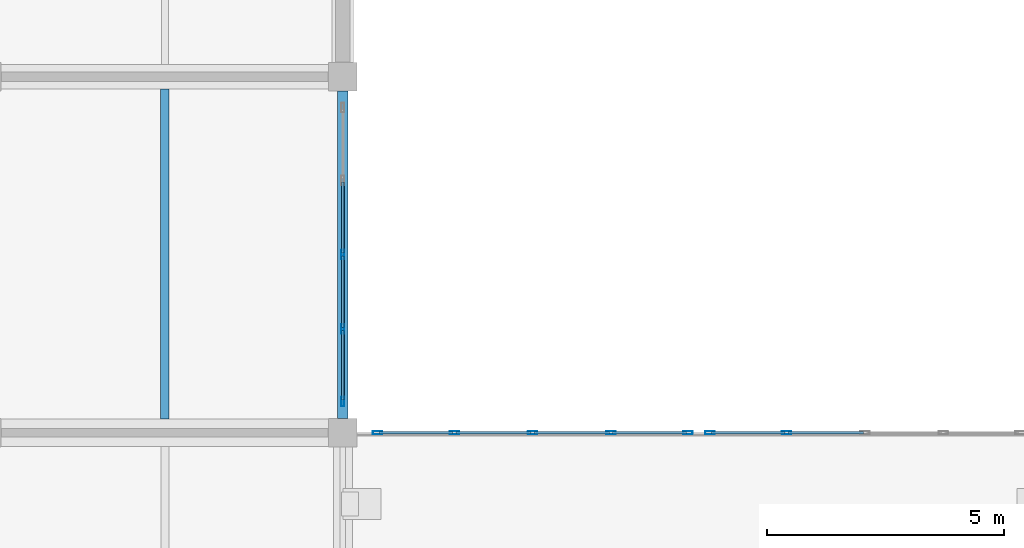
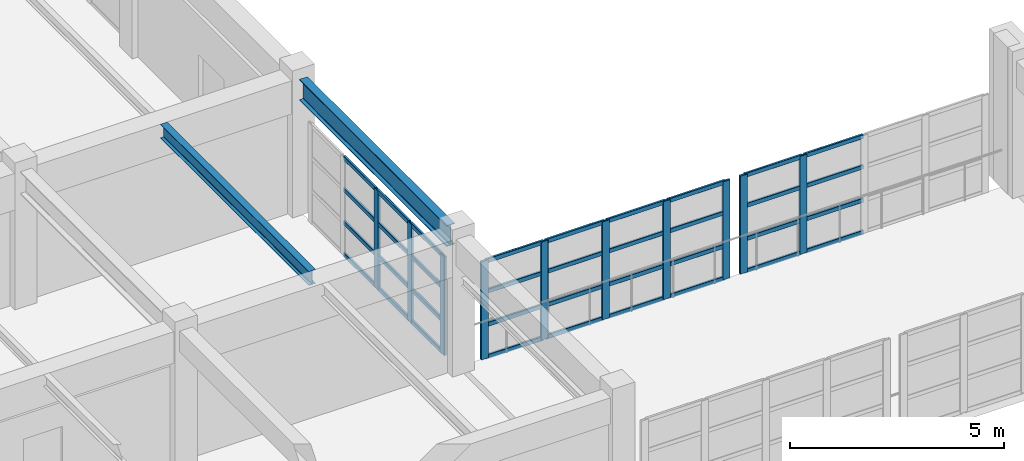
# One storey, part 47 of 124: 46 members, 2 beams, 3 elements without a shape of their own.
"""IFC4 building model written with IfcOpenShell, lengths in metres."""

from ifc_helpers import new_model, si_unit, direction, frame, origin, origin_2d, place, context, subcontext, project, spatial, hollow_rectangle, i_section, extrude, material, material_profile, profile_set, type_object, element, aggregate, save


model = new_model("IFC4")

# Units and contexts
model_context = context("Model", 3, precision=1e-05, world=origin(), true_north=direction((0.0, 1.0)))
body_context = subcontext(model_context, "Body", "Model", "MODEL_VIEW")
ifc_project = project(units=[si_unit("LENGTHUNIT", "METRE"), si_unit("AREAUNIT", "SQUARE_METRE"), si_unit("VOLUMEUNIT", "CUBIC_METRE"), si_unit("PLANEANGLEUNIT", "RADIAN"), si_unit("MASSUNIT", "GRAM", prefix="KILO")], contexts=[model_context])

# Site, building, storey
site_placement = place(None, origin())
site = spatial("IfcSite", under=ifc_project, at=site_placement, CompositionType="ELEMENT")
building_placement = place(site_placement, origin())
building = spatial("IfcBuilding", under=site, at=building_placement, Name="Qasida Concert Hall", CompositionType="ELEMENT")
storey_placement = place(building_placement, frame((0.0, 0.0, 9.0)))
storey = spatial("IfcBuildingStorey", under=building, at=storey_placement, Name="L02", CompositionType="ELEMENT", Elevation=9.0)

# Beams
ifc_material_1 = material(Name="Steel S355J2", Category="steel")
ifc_material_profile_1 = material_profile(ifc_material_1, i_section(OverallWidth=0.179931640625, OverallDepth=0.39990234375, WebThickness=0.008544921875, FlangeThickness=0.013427734375, FilletRadius=0.02099609375, at=origin_2d()), Name="IPE 400")
ifc_profile_set_1 = profile_set([ifc_material_profile_1], Name="Steel S355J2")
beam_type_1 = type_object("IfcBeamType", Name="BM-J3", PredefinedType="JOIST", material=ifc_profile_set_1)
beam_1_placement = place(storey_placement, frame((33.75, 82.7900390625, 3.699951171875), z_axis=(0.0, 1.0, 0.0), x_axis=(-1.0, 0.0, 0.0)))
element("IfcBeam", 1, at=beam_1_placement, inside=storey, type_object=beam_type_1, Name="L02 secondary joist 1506", PredefinedType="JOIST", context=body_context, shape_type="SweptSolid", body=[
    extrude(i_section(OverallWidth=0.179931640625, OverallDepth=0.39990234375, WebThickness=0.008544921875, FlangeThickness=0.013427734375, FilletRadius=0.02099609375, at=origin_2d()), origin(), (0.0, 0.0, 1.0), 6.949951171875),
])
ifc_material_profile_2 = material_profile(ifc_material_1, i_section(OverallWidth=0.219970703125, OverallDepth=0.60009765625, WebThickness=0.011962890625, FlangeThickness=0.01904296875, FilletRadius=0.02392578125, at=origin_2d()), Name="IPE 600")
ifc_profile_set_2 = profile_set([ifc_material_profile_2], Name="Steel S355J2")
beam_type_2 = type_object("IfcBeamType", Name="BM-SP3", PredefinedType="SPANDREL", material=ifc_profile_set_2)
beam_2_placement = place(storey_placement, frame((37.5, 82.800048828125, 3.60009765625), z_axis=(0.0, 1.0, 0.0), x_axis=(-1.0, 0.0, 0.0)))
element("IfcBeam", 2, at=beam_2_placement, inside=storey, type_object=beam_type_2, Name="L02 girder 1483", PredefinedType="SPANDREL", context=body_context, shape_type="SweptSolid", body=[
    extrude(i_section(OverallWidth=0.219970703125, OverallDepth=0.60009765625, WebThickness=0.011962890625, FlangeThickness=0.01904296875, FilletRadius=0.02392578125, at=origin_2d()), origin(), (0.0, 0.0, 1.0), 6.89990234375),
])

# Curtain wall, members
ifc_material_2 = material(Name="Architectural bronze-anodized aluminium and low-E glass", Category="aluminium")
curtain_wall_type = type_object("IfcCurtainWallType", Name="CW-08", PredefinedType="NOTDEFINED", material=ifc_material_2)
curtain_wall_1_placement = place(storey_placement, origin())
curtain_wall_1 = element("IfcCurtainWall", 3, at=curtain_wall_1_placement, inside=storey, type_object=curtain_wall_type, Name="L02 curtain wall CW-08 0190", PredefinedType="NOTDEFINED")
ifc_material_3 = material(Name="Architectural bronze-anodized aluminium EN AW-6063", Category="aluminium")
ifc_material_profile_3 = material_profile(ifc_material_3, hollow_rectangle(XDim=0.06494140625, YDim=0.199951171875, WallThickness=0.0048828125, InnerFilletRadius=0.0048828125, OuterFilletRadius=0.010009765625, at=origin_2d()), Name="CWM 200x65x5")
ifc_profile_set_3 = profile_set([ifc_material_profile_3], Name="Architectural bronze-anodized aluminium EN AW-6063")
member_type_1 = type_object("IfcMemberType", Name="MB-CWM-2", PredefinedType="MULLION", material=ifc_profile_set_3)
member_1_placement = place(storey_placement, frame((37.5, 83.152587890625, 0.0), z_axis=(0.0, 0.0, 1.0), x_axis=(-1.0, 0.0, 0.0)))
member_1 = element("IfcMember", 4, at=member_1_placement, type_object=member_type_1, Name="CW-08 mullion 1", PredefinedType="MULLION", context=body_context, shape_type="SweptSolid", body=[
    extrude(hollow_rectangle(XDim=0.06494140625, YDim=0.199951171875, WallThickness=0.0048828125, InnerFilletRadius=0.0048828125, OuterFilletRadius=0.010009765625, at=origin_2d()), origin(), (0.0, 0.0, 1.0), 2.820068359375),
])
member_2_placement = place(storey_placement, frame((37.5, 84.68505859375, 0.0), z_axis=(0.0, 0.0, 1.0), x_axis=(-1.0, 0.0, 0.0)))
member_2 = element("IfcMember", 5, at=member_2_placement, type_object=member_type_1, Name="CW-08 mullion 2", PredefinedType="MULLION", context=body_context, shape_type="SweptSolid", body=[
    extrude(hollow_rectangle(XDim=0.06494140625, YDim=0.199951171875, WallThickness=0.0048828125, InnerFilletRadius=0.0048828125, OuterFilletRadius=0.010009765625, at=origin_2d()), origin(), (0.0, 0.0, 1.0), 2.820068359375),
])
member_3_placement = place(storey_placement, frame((37.5, 86.25, 0.0), z_axis=(0.0, 0.0, 1.0), x_axis=(-1.0, 0.0, 0.0)))
member_3 = element("IfcMember", 6, at=member_3_placement, type_object=member_type_1, Name="CW-08 mullion 3", PredefinedType="MULLION", context=body_context, shape_type="SweptSolid", body=[
    extrude(hollow_rectangle(XDim=0.06494140625, YDim=0.199951171875, WallThickness=0.0048828125, InnerFilletRadius=0.0048828125, OuterFilletRadius=0.010009765625, at=origin_2d()), origin(), (0.0, 0.0, 1.0), 2.820068359375),
])

curtain_wall_2_placement = place(storey_placement, origin())
curtain_wall_2 = element("IfcCurtainWall", 7, at=curtain_wall_2_placement, inside=storey, type_object=curtain_wall_type, Name="L02 link bridge glazing 0219", PredefinedType="NOTDEFINED")
member_4_placement = place(storey_placement, frame((38.232421875, 82.5, 0.0), z_axis=(0.0, 0.0, 1.0), x_axis=(0.0, 1.0, 0.0)))
member_4 = element("IfcMember", 8, at=member_4_placement, type_object=member_type_1, Name="CW-08 mullion 1", PredefinedType="MULLION", context=body_context, shape_type="SweptSolid", body=[
    extrude(hollow_rectangle(XDim=0.06494140625, YDim=0.199951171875, WallThickness=0.0048828125, InnerFilletRadius=0.0048828125, OuterFilletRadius=0.010009765625, at=origin_2d()), origin(), (0.0, 0.0, 1.0), 2.800048828125),
])
member_5_placement = place(storey_placement, frame((39.85009765625, 82.5, 0.0), z_axis=(0.0, 0.0, 1.0), x_axis=(0.0, 1.0, 0.0)))
member_5 = element("IfcMember", 9, at=member_5_placement, type_object=member_type_1, Name="CW-08 mullion 2", PredefinedType="MULLION", context=body_context, shape_type="SweptSolid", body=[
    extrude(hollow_rectangle(XDim=0.06494140625, YDim=0.199951171875, WallThickness=0.0048828125, InnerFilletRadius=0.0048828125, OuterFilletRadius=0.010009765625, at=origin_2d()), origin(), (0.0, 0.0, 1.0), 2.800048828125),
])
member_6_placement = place(storey_placement, frame((41.5, 82.5, 0.0), z_axis=(0.0, 0.0, 1.0), x_axis=(0.0, 1.0, 0.0)))
member_6 = element("IfcMember", 10, at=member_6_placement, type_object=member_type_1, Name="CW-08 mullion 3", PredefinedType="MULLION", context=body_context, shape_type="SweptSolid", body=[
    extrude(hollow_rectangle(XDim=0.06494140625, YDim=0.199951171875, WallThickness=0.0048828125, InnerFilletRadius=0.0048828125, OuterFilletRadius=0.010009765625, at=origin_2d()), origin(), (0.0, 0.0, 1.0), 2.800048828125),
])
member_7_placement = place(storey_placement, frame((43.14990234375, 82.5, 0.0), z_axis=(0.0, 0.0, 1.0), x_axis=(0.0, 1.0, 0.0)))
member_7 = element("IfcMember", 11, at=member_7_placement, type_object=member_type_1, Name="CW-08 mullion 4", PredefinedType="MULLION", context=body_context, shape_type="SweptSolid", body=[
    extrude(hollow_rectangle(XDim=0.06494140625, YDim=0.199951171875, WallThickness=0.0048828125, InnerFilletRadius=0.0048828125, OuterFilletRadius=0.010009765625, at=origin_2d()), origin(), (0.0, 0.0, 1.0), 2.800048828125),
])
member_8_placement = place(storey_placement, frame((44.767578125, 82.5, 0.0), z_axis=(0.0, 0.0, 1.0), x_axis=(0.0, 1.0, 0.0)))
member_8 = element("IfcMember", 12, at=member_8_placement, type_object=member_type_1, Name="CW-08 mullion 5", PredefinedType="MULLION", context=body_context, shape_type="SweptSolid", body=[
    extrude(hollow_rectangle(XDim=0.06494140625, YDim=0.199951171875, WallThickness=0.0048828125, InnerFilletRadius=0.0048828125, OuterFilletRadius=0.010009765625, at=origin_2d()), origin(), (0.0, 0.0, 1.0), 2.800048828125),
])

curtain_wall_3_placement = place(storey_placement, origin())
curtain_wall_3 = element("IfcCurtainWall", 13, at=curtain_wall_3_placement, inside=storey, type_object=curtain_wall_type, Name="L02 link bridge glazing 0221", PredefinedType="NOTDEFINED")
member_9_placement = place(storey_placement, frame((45.232421875, 82.5, 0.0), z_axis=(0.0, 0.0, 1.0), x_axis=(0.0, 1.0, 0.0)))
member_9 = element("IfcMember", 14, at=member_9_placement, type_object=member_type_1, Name="CW-08 mullion 1", PredefinedType="MULLION", context=body_context, shape_type="SweptSolid", body=[
    extrude(hollow_rectangle(XDim=0.06494140625, YDim=0.199951171875, WallThickness=0.0048828125, InnerFilletRadius=0.0048828125, OuterFilletRadius=0.010009765625, at=origin_2d()), origin(), (0.0, 0.0, 1.0), 2.800048828125),
])
member_10_placement = place(storey_placement, frame((46.85009765625, 82.5, 0.0), z_axis=(0.0, 0.0, 1.0), x_axis=(0.0, 1.0, 0.0)))
member_10 = element("IfcMember", 15, at=member_10_placement, type_object=member_type_1, Name="CW-08 mullion 2", PredefinedType="MULLION", context=body_context, shape_type="SweptSolid", body=[
    extrude(hollow_rectangle(XDim=0.06494140625, YDim=0.199951171875, WallThickness=0.0048828125, InnerFilletRadius=0.0048828125, OuterFilletRadius=0.010009765625, at=origin_2d()), origin(), (0.0, 0.0, 1.0), 2.800048828125),
])

# Member
ifc_material_profile_4 = material_profile(ifc_material_3, hollow_rectangle(XDim=0.06005859375, YDim=0.1201171875, WallThickness=0.00390625, InnerFilletRadius=0.00390625, OuterFilletRadius=0.008056640625, at=origin_2d()), Name="CWT 120x60x4")
ifc_profile_set_4 = profile_set([ifc_material_profile_4], Name="Architectural bronze-anodized aluminium EN AW-6063")
member_type_2 = type_object("IfcMemberType", Name="MB-CWT-2", PredefinedType="USERDEFINED", material=ifc_profile_set_4)
member_11_placement = place(storey_placement, frame((37.5, 83.18505859375, 0.030029296875), z_axis=(0.0, 1.0, 0.0), x_axis=(-1.0, 0.0, 0.0)))
member_11 = element("IfcMember", 16, at=member_11_placement, type_object=member_type_2, Name="CW-08 transom 1.1", ObjectType="TRANSOM", PredefinedType="USERDEFINED", context=body_context, shape_type="SweptSolid", body=[
    extrude(hollow_rectangle(XDim=0.06005859375, YDim=0.1201171875, WallThickness=0.00390625, InnerFilletRadius=0.00390625, OuterFilletRadius=0.008056640625, at=origin_2d()), origin(), (0.0, 0.0, 1.0), 1.467529296875),
])

member_12_placement = place(storey_placement, frame((37.5, 83.18505859375, 0.93994140625), z_axis=(0.0, 1.0, 0.0), x_axis=(-1.0, 0.0, 0.0)))
member_12 = element("IfcMember", 17, at=member_12_placement, type_object=member_type_2, Name="CW-08 transom 1.2", ObjectType="TRANSOM", PredefinedType="USERDEFINED", context=body_context, shape_type="SweptSolid", body=[
    extrude(hollow_rectangle(XDim=0.06005859375, YDim=0.1201171875, WallThickness=0.00390625, InnerFilletRadius=0.00390625, OuterFilletRadius=0.008056640625, at=origin_2d()), origin(), (0.0, 0.0, 1.0), 1.467529296875),
])

member_13_placement = place(storey_placement, frame((37.5, 83.18505859375, 1.8798828125), z_axis=(0.0, 1.0, 0.0), x_axis=(-1.0, 0.0, 0.0)))
member_13 = element("IfcMember", 18, at=member_13_placement, type_object=member_type_2, Name="CW-08 transom 1.3", ObjectType="TRANSOM", PredefinedType="USERDEFINED", context=body_context, shape_type="SweptSolid", body=[
    extrude(hollow_rectangle(XDim=0.06005859375, YDim=0.1201171875, WallThickness=0.00390625, InnerFilletRadius=0.00390625, OuterFilletRadius=0.008056640625, at=origin_2d()), origin(), (0.0, 0.0, 1.0), 1.467529296875),
])

member_14_placement = place(storey_placement, frame((37.5, 83.18505859375, 2.7900390625), z_axis=(0.0, 1.0, 0.0), x_axis=(-1.0, 0.0, 0.0)))
member_14 = element("IfcMember", 19, at=member_14_placement, type_object=member_type_2, Name="CW-08 transom 1.4", ObjectType="TRANSOM", PredefinedType="USERDEFINED", context=body_context, shape_type="SweptSolid", body=[
    extrude(hollow_rectangle(XDim=0.06005859375, YDim=0.1201171875, WallThickness=0.00390625, InnerFilletRadius=0.00390625, OuterFilletRadius=0.008056640625, at=origin_2d()), origin(), (0.0, 0.0, 1.0), 1.467529296875),
])

member_15_placement = place(storey_placement, frame((37.5, 84.717529296875, 0.030029296875), z_axis=(0.0, 1.0, 0.0), x_axis=(-1.0, 0.0, 0.0)))
member_15 = element("IfcMember", 20, at=member_15_placement, type_object=member_type_2, Name="CW-08 transom 2.1", ObjectType="TRANSOM", PredefinedType="USERDEFINED", context=body_context, shape_type="SweptSolid", body=[
    extrude(hollow_rectangle(XDim=0.06005859375, YDim=0.1201171875, WallThickness=0.00390625, InnerFilletRadius=0.00390625, OuterFilletRadius=0.008056640625, at=origin_2d()), origin(), (0.0, 0.0, 1.0), 1.5),
])

member_16_placement = place(storey_placement, frame((37.5, 84.717529296875, 0.93994140625), z_axis=(0.0, 1.0, 0.0), x_axis=(-1.0, 0.0, 0.0)))
member_16 = element("IfcMember", 21, at=member_16_placement, type_object=member_type_2, Name="CW-08 transom 2.2", ObjectType="TRANSOM", PredefinedType="USERDEFINED", context=body_context, shape_type="SweptSolid", body=[
    extrude(hollow_rectangle(XDim=0.06005859375, YDim=0.1201171875, WallThickness=0.00390625, InnerFilletRadius=0.00390625, OuterFilletRadius=0.008056640625, at=origin_2d()), origin(), (0.0, 0.0, 1.0), 1.5),
])

member_17_placement = place(storey_placement, frame((37.5, 84.717529296875, 1.8798828125), z_axis=(0.0, 1.0, 0.0), x_axis=(-1.0, 0.0, 0.0)))
member_17 = element("IfcMember", 22, at=member_17_placement, type_object=member_type_2, Name="CW-08 transom 2.3", ObjectType="TRANSOM", PredefinedType="USERDEFINED", context=body_context, shape_type="SweptSolid", body=[
    extrude(hollow_rectangle(XDim=0.06005859375, YDim=0.1201171875, WallThickness=0.00390625, InnerFilletRadius=0.00390625, OuterFilletRadius=0.008056640625, at=origin_2d()), origin(), (0.0, 0.0, 1.0), 1.5),
])

member_18_placement = place(storey_placement, frame((37.5, 84.717529296875, 2.7900390625), z_axis=(0.0, 1.0, 0.0), x_axis=(-1.0, 0.0, 0.0)))
member_18 = element("IfcMember", 23, at=member_18_placement, type_object=member_type_2, Name="CW-08 transom 2.4", ObjectType="TRANSOM", PredefinedType="USERDEFINED", context=body_context, shape_type="SweptSolid", body=[
    extrude(hollow_rectangle(XDim=0.06005859375, YDim=0.1201171875, WallThickness=0.00390625, InnerFilletRadius=0.00390625, OuterFilletRadius=0.008056640625, at=origin_2d()), origin(), (0.0, 0.0, 1.0), 1.5),
])

member_19_placement = place(storey_placement, frame((37.5, 86.282470703125, 0.030029296875), z_axis=(0.0, 1.0, 0.0), x_axis=(-1.0, 0.0, 0.0)))
member_19 = element("IfcMember", 24, at=member_19_placement, type_object=member_type_2, Name="CW-08 transom 3.1", ObjectType="TRANSOM", PredefinedType="USERDEFINED", context=body_context, shape_type="SweptSolid", body=[
    extrude(hollow_rectangle(XDim=0.06005859375, YDim=0.1201171875, WallThickness=0.00390625, InnerFilletRadius=0.00390625, OuterFilletRadius=0.008056640625, at=origin_2d()), origin(), (0.0, 0.0, 1.0), 1.5),
])

member_20_placement = place(storey_placement, frame((37.5, 86.282470703125, 0.93994140625), z_axis=(0.0, 1.0, 0.0), x_axis=(-1.0, 0.0, 0.0)))
member_20 = element("IfcMember", 25, at=member_20_placement, type_object=member_type_2, Name="CW-08 transom 3.2", ObjectType="TRANSOM", PredefinedType="USERDEFINED", context=body_context, shape_type="SweptSolid", body=[
    extrude(hollow_rectangle(XDim=0.06005859375, YDim=0.1201171875, WallThickness=0.00390625, InnerFilletRadius=0.00390625, OuterFilletRadius=0.008056640625, at=origin_2d()), origin(), (0.0, 0.0, 1.0), 1.5),
])

member_21_placement = place(storey_placement, frame((37.5, 86.282470703125, 1.8798828125), z_axis=(0.0, 1.0, 0.0), x_axis=(-1.0, 0.0, 0.0)))
member_21 = element("IfcMember", 26, at=member_21_placement, type_object=member_type_2, Name="CW-08 transom 3.3", ObjectType="TRANSOM", PredefinedType="USERDEFINED", context=body_context, shape_type="SweptSolid", body=[
    extrude(hollow_rectangle(XDim=0.06005859375, YDim=0.1201171875, WallThickness=0.00390625, InnerFilletRadius=0.00390625, OuterFilletRadius=0.008056640625, at=origin_2d()), origin(), (0.0, 0.0, 1.0), 1.5),
])

member_22_placement = place(storey_placement, frame((37.5, 86.282470703125, 2.7900390625), z_axis=(0.0, 1.0, 0.0), x_axis=(-1.0, 0.0, 0.0)))
member_22 = element("IfcMember", 27, at=member_22_placement, type_object=member_type_2, Name="CW-08 transom 3.4", ObjectType="TRANSOM", PredefinedType="USERDEFINED", context=body_context, shape_type="SweptSolid", body=[
    extrude(hollow_rectangle(XDim=0.06005859375, YDim=0.1201171875, WallThickness=0.00390625, InnerFilletRadius=0.00390625, OuterFilletRadius=0.008056640625, at=origin_2d()), origin(), (0.0, 0.0, 1.0), 1.5),
])

aggregate(curtain_wall_1, [member_1, member_2, member_3, member_11, member_12, member_13, member_14, member_15, member_16, member_17, member_18, member_19, member_20, member_21, member_22])

member_23_placement = place(storey_placement, frame((38.264892578125, 82.5, 0.030029296875), z_axis=(1.0, 0.0, 0.0), x_axis=(0.0, 1.0, 0.0)))
member_23 = element("IfcMember", 28, at=member_23_placement, type_object=member_type_2, Name="CW-08 transom 1.1", ObjectType="TRANSOM", PredefinedType="USERDEFINED", context=body_context, shape_type="SweptSolid", body=[
    extrude(hollow_rectangle(XDim=0.06005859375, YDim=0.1201171875, WallThickness=0.00390625, InnerFilletRadius=0.00390625, OuterFilletRadius=0.008056640625, at=origin_2d()), origin(), (0.0, 0.0, 1.0), 1.552490234375),
])

member_24_placement = place(storey_placement, frame((38.264892578125, 82.5, 0.949951171875), z_axis=(1.0, 0.0, 0.0), x_axis=(0.0, 1.0, 0.0)))
member_24 = element("IfcMember", 29, at=member_24_placement, type_object=member_type_2, Name="CW-08 transom 1.2", ObjectType="TRANSOM", PredefinedType="USERDEFINED", context=body_context, shape_type="SweptSolid", body=[
    extrude(hollow_rectangle(XDim=0.06005859375, YDim=0.1201171875, WallThickness=0.00390625, InnerFilletRadius=0.00390625, OuterFilletRadius=0.008056640625, at=origin_2d()), origin(), (0.0, 0.0, 1.0), 1.552490234375),
])

member_25_placement = place(storey_placement, frame((38.264892578125, 82.5, 1.89990234375), z_axis=(1.0, 0.0, 0.0), x_axis=(0.0, 1.0, 0.0)))
member_25 = element("IfcMember", 30, at=member_25_placement, type_object=member_type_2, Name="CW-08 transom 1.3", ObjectType="TRANSOM", PredefinedType="USERDEFINED", context=body_context, shape_type="SweptSolid", body=[
    extrude(hollow_rectangle(XDim=0.06005859375, YDim=0.1201171875, WallThickness=0.00390625, InnerFilletRadius=0.00390625, OuterFilletRadius=0.008056640625, at=origin_2d()), origin(), (0.0, 0.0, 1.0), 1.552490234375),
])

member_26_placement = place(storey_placement, frame((38.264892578125, 82.5, 2.77001953125), z_axis=(1.0, 0.0, 0.0), x_axis=(0.0, 1.0, 0.0)))
member_26 = element("IfcMember", 31, at=member_26_placement, type_object=member_type_2, Name="CW-08 transom 1.4", ObjectType="TRANSOM", PredefinedType="USERDEFINED", context=body_context, shape_type="SweptSolid", body=[
    extrude(hollow_rectangle(XDim=0.06005859375, YDim=0.1201171875, WallThickness=0.00390625, InnerFilletRadius=0.00390625, OuterFilletRadius=0.008056640625, at=origin_2d()), origin(), (0.0, 0.0, 1.0), 1.552490234375),
])

member_27_placement = place(storey_placement, frame((39.882568359375, 82.5, 0.030029296875), z_axis=(1.0, 0.0, 0.0), x_axis=(0.0, 1.0, 0.0)))
member_27 = element("IfcMember", 32, at=member_27_placement, type_object=member_type_2, Name="CW-08 transom 2.1", ObjectType="TRANSOM", PredefinedType="USERDEFINED", context=body_context, shape_type="SweptSolid", body=[
    extrude(hollow_rectangle(XDim=0.06005859375, YDim=0.1201171875, WallThickness=0.00390625, InnerFilletRadius=0.00390625, OuterFilletRadius=0.008056640625, at=origin_2d()), origin(), (0.0, 0.0, 1.0), 1.5849609375),
])

member_28_placement = place(storey_placement, frame((39.882568359375, 82.5, 0.949951171875), z_axis=(1.0, 0.0, 0.0), x_axis=(0.0, 1.0, 0.0)))
member_28 = element("IfcMember", 33, at=member_28_placement, type_object=member_type_2, Name="CW-08 transom 2.2", ObjectType="TRANSOM", PredefinedType="USERDEFINED", context=body_context, shape_type="SweptSolid", body=[
    extrude(hollow_rectangle(XDim=0.06005859375, YDim=0.1201171875, WallThickness=0.00390625, InnerFilletRadius=0.00390625, OuterFilletRadius=0.008056640625, at=origin_2d()), origin(), (0.0, 0.0, 1.0), 1.5849609375),
])

member_29_placement = place(storey_placement, frame((39.882568359375, 82.5, 1.89990234375), z_axis=(1.0, 0.0, 0.0), x_axis=(0.0, 1.0, 0.0)))
member_29 = element("IfcMember", 34, at=member_29_placement, type_object=member_type_2, Name="CW-08 transom 2.3", ObjectType="TRANSOM", PredefinedType="USERDEFINED", context=body_context, shape_type="SweptSolid", body=[
    extrude(hollow_rectangle(XDim=0.06005859375, YDim=0.1201171875, WallThickness=0.00390625, InnerFilletRadius=0.00390625, OuterFilletRadius=0.008056640625, at=origin_2d()), origin(), (0.0, 0.0, 1.0), 1.5849609375),
])

member_30_placement = place(storey_placement, frame((39.882568359375, 82.5, 2.77001953125), z_axis=(1.0, 0.0, 0.0), x_axis=(0.0, 1.0, 0.0)))
member_30 = element("IfcMember", 35, at=member_30_placement, type_object=member_type_2, Name="CW-08 transom 2.4", ObjectType="TRANSOM", PredefinedType="USERDEFINED", context=body_context, shape_type="SweptSolid", body=[
    extrude(hollow_rectangle(XDim=0.06005859375, YDim=0.1201171875, WallThickness=0.00390625, InnerFilletRadius=0.00390625, OuterFilletRadius=0.008056640625, at=origin_2d()), origin(), (0.0, 0.0, 1.0), 1.5849609375),
])

member_31_placement = place(storey_placement, frame((41.532470703125, 82.5, 0.030029296875), z_axis=(1.0, 0.0, 0.0), x_axis=(0.0, 1.0, 0.0)))
member_31 = element("IfcMember", 36, at=member_31_placement, type_object=member_type_2, Name="CW-08 transom 3.1", ObjectType="TRANSOM", PredefinedType="USERDEFINED", context=body_context, shape_type="SweptSolid", body=[
    extrude(hollow_rectangle(XDim=0.06005859375, YDim=0.1201171875, WallThickness=0.00390625, InnerFilletRadius=0.00390625, OuterFilletRadius=0.008056640625, at=origin_2d()), origin(), (0.0, 0.0, 1.0), 1.5849609375),
])

member_32_placement = place(storey_placement, frame((41.532470703125, 82.5, 0.949951171875), z_axis=(1.0, 0.0, 0.0), x_axis=(0.0, 1.0, 0.0)))
member_32 = element("IfcMember", 37, at=member_32_placement, type_object=member_type_2, Name="CW-08 transom 3.2", ObjectType="TRANSOM", PredefinedType="USERDEFINED", context=body_context, shape_type="SweptSolid", body=[
    extrude(hollow_rectangle(XDim=0.06005859375, YDim=0.1201171875, WallThickness=0.00390625, InnerFilletRadius=0.00390625, OuterFilletRadius=0.008056640625, at=origin_2d()), origin(), (0.0, 0.0, 1.0), 1.5849609375),
])

member_33_placement = place(storey_placement, frame((41.532470703125, 82.5, 1.89990234375), z_axis=(1.0, 0.0, 0.0), x_axis=(0.0, 1.0, 0.0)))
member_33 = element("IfcMember", 38, at=member_33_placement, type_object=member_type_2, Name="CW-08 transom 3.3", ObjectType="TRANSOM", PredefinedType="USERDEFINED", context=body_context, shape_type="SweptSolid", body=[
    extrude(hollow_rectangle(XDim=0.06005859375, YDim=0.1201171875, WallThickness=0.00390625, InnerFilletRadius=0.00390625, OuterFilletRadius=0.008056640625, at=origin_2d()), origin(), (0.0, 0.0, 1.0), 1.5849609375),
])

member_34_placement = place(storey_placement, frame((41.532470703125, 82.5, 2.77001953125), z_axis=(1.0, 0.0, 0.0), x_axis=(0.0, 1.0, 0.0)))
member_34 = element("IfcMember", 39, at=member_34_placement, type_object=member_type_2, Name="CW-08 transom 3.4", ObjectType="TRANSOM", PredefinedType="USERDEFINED", context=body_context, shape_type="SweptSolid", body=[
    extrude(hollow_rectangle(XDim=0.06005859375, YDim=0.1201171875, WallThickness=0.00390625, InnerFilletRadius=0.00390625, OuterFilletRadius=0.008056640625, at=origin_2d()), origin(), (0.0, 0.0, 1.0), 1.5849609375),
])

member_35_placement = place(storey_placement, frame((43.1826171875, 82.5, 0.030029296875), z_axis=(1.0, 0.0, 0.0), x_axis=(0.0, 1.0, 0.0)))
member_35 = element("IfcMember", 40, at=member_35_placement, type_object=member_type_2, Name="CW-08 transom 4.1", ObjectType="TRANSOM", PredefinedType="USERDEFINED", context=body_context, shape_type="SweptSolid", body=[
    extrude(hollow_rectangle(XDim=0.06005859375, YDim=0.1201171875, WallThickness=0.00390625, InnerFilletRadius=0.00390625, OuterFilletRadius=0.008056640625, at=origin_2d()), origin(), (0.0, 0.0, 1.0), 1.552490234375),
])

member_36_placement = place(storey_placement, frame((43.1826171875, 82.5, 0.949951171875), z_axis=(1.0, 0.0, 0.0), x_axis=(0.0, 1.0, 0.0)))
member_36 = element("IfcMember", 41, at=member_36_placement, type_object=member_type_2, Name="CW-08 transom 4.2", ObjectType="TRANSOM", PredefinedType="USERDEFINED", context=body_context, shape_type="SweptSolid", body=[
    extrude(hollow_rectangle(XDim=0.06005859375, YDim=0.1201171875, WallThickness=0.00390625, InnerFilletRadius=0.00390625, OuterFilletRadius=0.008056640625, at=origin_2d()), origin(), (0.0, 0.0, 1.0), 1.552490234375),
])

member_37_placement = place(storey_placement, frame((43.1826171875, 82.5, 1.89990234375), z_axis=(1.0, 0.0, 0.0), x_axis=(0.0, 1.0, 0.0)))
member_37 = element("IfcMember", 42, at=member_37_placement, type_object=member_type_2, Name="CW-08 transom 4.3", ObjectType="TRANSOM", PredefinedType="USERDEFINED", context=body_context, shape_type="SweptSolid", body=[
    extrude(hollow_rectangle(XDim=0.06005859375, YDim=0.1201171875, WallThickness=0.00390625, InnerFilletRadius=0.00390625, OuterFilletRadius=0.008056640625, at=origin_2d()), origin(), (0.0, 0.0, 1.0), 1.552490234375),
])

member_38_placement = place(storey_placement, frame((43.1826171875, 82.5, 2.77001953125), z_axis=(1.0, 0.0, 0.0), x_axis=(0.0, 1.0, 0.0)))
member_38 = element("IfcMember", 43, at=member_38_placement, type_object=member_type_2, Name="CW-08 transom 4.4", ObjectType="TRANSOM", PredefinedType="USERDEFINED", context=body_context, shape_type="SweptSolid", body=[
    extrude(hollow_rectangle(XDim=0.06005859375, YDim=0.1201171875, WallThickness=0.00390625, InnerFilletRadius=0.00390625, OuterFilletRadius=0.008056640625, at=origin_2d()), origin(), (0.0, 0.0, 1.0), 1.552490234375),
])

aggregate(curtain_wall_2, [member_4, member_5, member_6, member_7, member_8, member_23, member_24, member_25, member_26, member_27, member_28, member_29, member_30, member_31, member_32, member_33, member_34, member_35, member_36, member_37, member_38])

member_39_placement = place(storey_placement, frame((45.264892578125, 82.5, 0.030029296875), z_axis=(1.0, 0.0, 0.0), x_axis=(0.0, 1.0, 0.0)))
member_39 = element("IfcMember", 44, at=member_39_placement, type_object=member_type_2, Name="CW-08 transom 1.1", ObjectType="TRANSOM", PredefinedType="USERDEFINED", context=body_context, shape_type="SweptSolid", body=[
    extrude(hollow_rectangle(XDim=0.06005859375, YDim=0.1201171875, WallThickness=0.00390625, InnerFilletRadius=0.00390625, OuterFilletRadius=0.008056640625, at=origin_2d()), origin(), (0.0, 0.0, 1.0), 1.552490234375),
])

member_40_placement = place(storey_placement, frame((45.264892578125, 82.5, 0.949951171875), z_axis=(1.0, 0.0, 0.0), x_axis=(0.0, 1.0, 0.0)))
member_40 = element("IfcMember", 45, at=member_40_placement, type_object=member_type_2, Name="CW-08 transom 1.2", ObjectType="TRANSOM", PredefinedType="USERDEFINED", context=body_context, shape_type="SweptSolid", body=[
    extrude(hollow_rectangle(XDim=0.06005859375, YDim=0.1201171875, WallThickness=0.00390625, InnerFilletRadius=0.00390625, OuterFilletRadius=0.008056640625, at=origin_2d()), origin(), (0.0, 0.0, 1.0), 1.552490234375),
])

member_41_placement = place(storey_placement, frame((45.264892578125, 82.5, 1.89990234375), z_axis=(1.0, 0.0, 0.0), x_axis=(0.0, 1.0, 0.0)))
member_41 = element("IfcMember", 46, at=member_41_placement, type_object=member_type_2, Name="CW-08 transom 1.3", ObjectType="TRANSOM", PredefinedType="USERDEFINED", context=body_context, shape_type="SweptSolid", body=[
    extrude(hollow_rectangle(XDim=0.06005859375, YDim=0.1201171875, WallThickness=0.00390625, InnerFilletRadius=0.00390625, OuterFilletRadius=0.008056640625, at=origin_2d()), origin(), (0.0, 0.0, 1.0), 1.552490234375),
])

member_42_placement = place(storey_placement, frame((45.264892578125, 82.5, 2.77001953125), z_axis=(1.0, 0.0, 0.0), x_axis=(0.0, 1.0, 0.0)))
member_42 = element("IfcMember", 47, at=member_42_placement, type_object=member_type_2, Name="CW-08 transom 1.4", ObjectType="TRANSOM", PredefinedType="USERDEFINED", context=body_context, shape_type="SweptSolid", body=[
    extrude(hollow_rectangle(XDim=0.06005859375, YDim=0.1201171875, WallThickness=0.00390625, InnerFilletRadius=0.00390625, OuterFilletRadius=0.008056640625, at=origin_2d()), origin(), (0.0, 0.0, 1.0), 1.552490234375),
])

member_43_placement = place(storey_placement, frame((46.882568359375, 82.5, 0.030029296875), z_axis=(1.0, 0.0, 0.0), x_axis=(0.0, 1.0, 0.0)))
member_43 = element("IfcMember", 48, at=member_43_placement, type_object=member_type_2, Name="CW-08 transom 2.1", ObjectType="TRANSOM", PredefinedType="USERDEFINED", context=body_context, shape_type="SweptSolid", body=[
    extrude(hollow_rectangle(XDim=0.06005859375, YDim=0.1201171875, WallThickness=0.00390625, InnerFilletRadius=0.00390625, OuterFilletRadius=0.008056640625, at=origin_2d()), origin(), (0.0, 0.0, 1.0), 1.5849609375),
])

member_44_placement = place(storey_placement, frame((46.882568359375, 82.5, 0.949951171875), z_axis=(1.0, 0.0, 0.0), x_axis=(0.0, 1.0, 0.0)))
member_44 = element("IfcMember", 49, at=member_44_placement, type_object=member_type_2, Name="CW-08 transom 2.2", ObjectType="TRANSOM", PredefinedType="USERDEFINED", context=body_context, shape_type="SweptSolid", body=[
    extrude(hollow_rectangle(XDim=0.06005859375, YDim=0.1201171875, WallThickness=0.00390625, InnerFilletRadius=0.00390625, OuterFilletRadius=0.008056640625, at=origin_2d()), origin(), (0.0, 0.0, 1.0), 1.5849609375),
])

member_45_placement = place(storey_placement, frame((46.882568359375, 82.5, 1.89990234375), z_axis=(1.0, 0.0, 0.0), x_axis=(0.0, 1.0, 0.0)))
member_45 = element("IfcMember", 50, at=member_45_placement, type_object=member_type_2, Name="CW-08 transom 2.3", ObjectType="TRANSOM", PredefinedType="USERDEFINED", context=body_context, shape_type="SweptSolid", body=[
    extrude(hollow_rectangle(XDim=0.06005859375, YDim=0.1201171875, WallThickness=0.00390625, InnerFilletRadius=0.00390625, OuterFilletRadius=0.008056640625, at=origin_2d()), origin(), (0.0, 0.0, 1.0), 1.5849609375),
])

member_46_placement = place(storey_placement, frame((46.882568359375, 82.5, 2.77001953125), z_axis=(1.0, 0.0, 0.0), x_axis=(0.0, 1.0, 0.0)))
member_46 = element("IfcMember", 51, at=member_46_placement, type_object=member_type_2, Name="CW-08 transom 2.4", ObjectType="TRANSOM", PredefinedType="USERDEFINED", context=body_context, shape_type="SweptSolid", body=[
    extrude(hollow_rectangle(XDim=0.06005859375, YDim=0.1201171875, WallThickness=0.00390625, InnerFilletRadius=0.00390625, OuterFilletRadius=0.008056640625, at=origin_2d()), origin(), (0.0, 0.0, 1.0), 1.5849609375),
])

aggregate(curtain_wall_3, [member_9, member_10, member_39, member_40, member_41, member_42, member_43, member_44, member_45, member_46])

save(model, "model.ifc")
